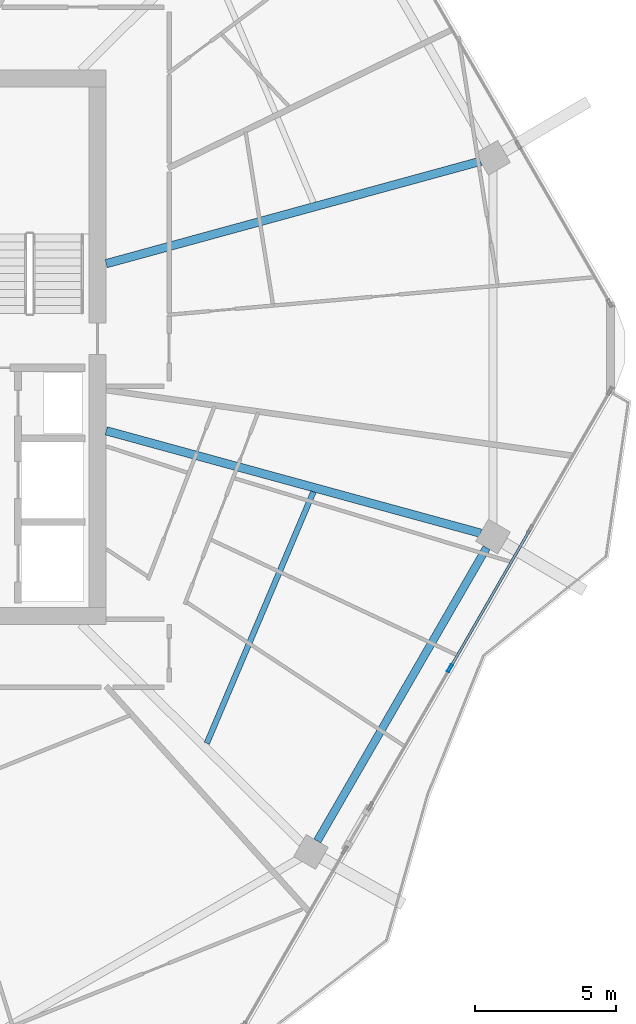
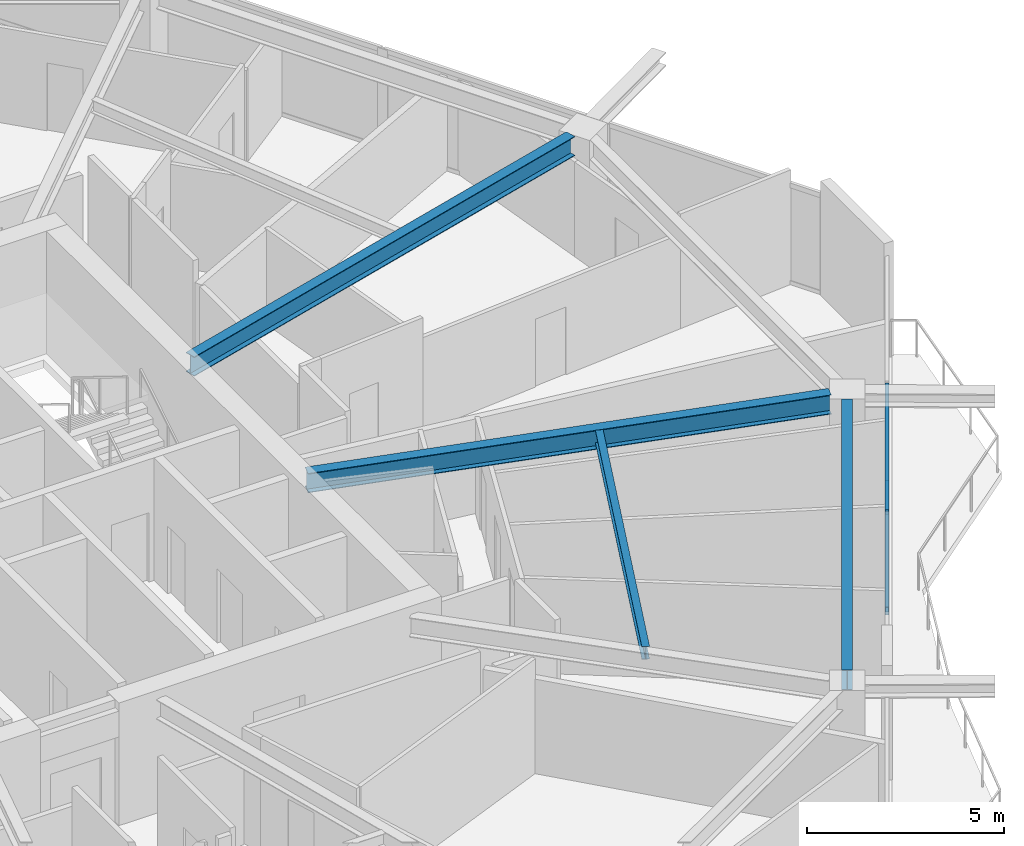
# One storey, part 9 of 25: 4 beams, 3 members, 1 element without a shape of its own.
"""IFC4 building model written with IfcOpenShell, lengths in metres."""

from ifc_helpers import new_model, si_unit, direction, frame, origin, origin_2d, place, context, subcontext, project, spatial, hollow_rectangle, i_section, extrude, material, material_profile, profile_set, type_object, element, aggregate, save


model = new_model("IFC4")

# Units and contexts
model_context = context("Model", 3, precision=1e-05, world=origin(), true_north=direction((0.0, 1.0)))
body_context = subcontext(model_context, "Body", "Model", "MODEL_VIEW")
ifc_project = project(units=[si_unit("LENGTHUNIT", "METRE"), si_unit("AREAUNIT", "SQUARE_METRE"), si_unit("VOLUMEUNIT", "CUBIC_METRE"), si_unit("PLANEANGLEUNIT", "RADIAN"), si_unit("MASSUNIT", "GRAM", prefix="KILO")], contexts=[model_context])

# Site, building, storey
site_placement = place(None, origin())
site = spatial("IfcSite", under=ifc_project, at=site_placement, CompositionType="ELEMENT")
building_placement = place(site_placement, origin())
building = spatial("IfcBuilding", under=site, at=building_placement, Name="Zuhravey Tower", CompositionType="ELEMENT")
storey_placement = place(building_placement, frame((0.0, 0.0, 235.0)))
storey = spatial("IfcBuildingStorey", under=building, at=storey_placement, Name="L59", CompositionType="ELEMENT", Elevation=235.0)

# Curtain wall, members
ifc_material_1 = material(Name="Thermally broken anodised aluminium", Category="aluminium")
curtain_wall_type = type_object("IfcCurtainWallType", Name="Zone 3-4 High-Rise Curtain Wall CW4", PredefinedType="NOTDEFINED", material=ifc_material_1)
curtain_wall_placement = place(storey_placement, origin())
curtain_wall = element("IfcCurtainWall", 1, at=curtain_wall_placement, inside=storey, type_object=curtain_wall_type, Name="L59 CW4 CW-L59-F6-1", PredefinedType="NOTDEFINED")
ifc_material_2 = material(Name="Anodised aluminium", Category="aluminium")
ifc_material_profile_1 = material_profile(ifc_material_2, hollow_rectangle(XDim=0.090087890625, YDim=0.284912109375, WallThickness=0.0048828125, at=origin_2d()), Name="ALU-RHS-90x285x5")
ifc_profile_set_1 = profile_set([ifc_material_profile_1], Name="Anodised aluminium")
member_type_1 = type_object("IfcMemberType", Name="Curtain-Wall Mullion 90x180", PredefinedType="MULLION", material=ifc_profile_set_1)
member_1_placement = place(storey_placement, frame((58.9599609375, 20.640625, 0.0), z_axis=(0.0, 0.0, 1.0), x_axis=(0.866023796192, -0.500002784421, 0.0)))
member_1 = element("IfcMember", 2, at=member_1_placement, type_object=member_type_1, Name="CW4 mullion 3", PredefinedType="MULLION", context=body_context, shape_type="SweptSolid", body=[
    extrude(hollow_rectangle(XDim=0.090087890625, YDim=0.284912109375, WallThickness=0.0048828125, at=origin_2d()), origin(), (0.0, 0.0, 1.0), 3.1220703125),
])
ifc_material_profile_2 = material_profile(ifc_material_2, hollow_rectangle(XDim=0.090087890625, YDim=0.14990234375, WallThickness=0.0048828125, at=origin_2d()), Name="ALU-RHS-90x150x5")
ifc_profile_set_2 = profile_set([ifc_material_profile_2], Name="Anodised aluminium")
member_type_2 = type_object("IfcMemberType", Name="Curtain-Wall Transom 90x150", PredefinedType="USERDEFINED", material=ifc_profile_set_2)
member_2_placement = place(storey_placement, frame((61.780029296875, 25.525146484375, 0.044921875), z_axis=(-0.500010773627, -0.866019183539, 0.0), x_axis=(0.866019183539, -0.500010773627, 0.0)))
member_2 = element("IfcMember", 3, at=member_2_placement, type_object=member_type_2, Name="CW4 transom 2.1", ObjectType="TRANSOM", PredefinedType="USERDEFINED", context=body_context, shape_type="SweptSolid", body=[
    extrude(hollow_rectangle(XDim=0.090087890625, YDim=0.14990234375, WallThickness=0.0048828125, at=origin_2d()), origin(), (0.0, 0.0, 1.0), 5.59521484375),
])
member_3_placement = place(storey_placement, frame((61.780029296875, 25.525146484375, 3.076904296875), z_axis=(-0.500010773627, -0.866019183539, 0.0), x_axis=(0.866019183539, -0.500010773627, 0.0)))
member_3 = element("IfcMember", 4, at=member_3_placement, type_object=member_type_2, Name="CW4 transom 2.2", ObjectType="TRANSOM", PredefinedType="USERDEFINED", context=body_context, shape_type="SweptSolid", body=[
    extrude(hollow_rectangle(XDim=0.090087890625, YDim=0.14990234375, WallThickness=0.0048828125, at=origin_2d()), origin(), (0.0, 0.0, 1.0), 5.59521484375),
])
aggregate(curtain_wall, [member_1, member_2, member_3])

# Beams
ifc_material_3 = material(Name="Steel SM355", Category="steel")
ifc_material_profile_3 = material_profile(ifc_material_3, i_section(OverallWidth=0.280029296875, OverallDepth=0.6201171875, WebThickness=0.011962890625, FlangeThickness=0.02001953125, at=origin_2d()), Name="H-620x280x12x20")
ifc_profile_set_3 = profile_set([ifc_material_profile_3], Name="Steel SM355")
beam_type_1 = type_object("IfcBeamType", Name="Perimeter Ring Beam H620x280", PredefinedType="BEAM", material=ifc_profile_set_3)
beam_1_placement = place(storey_placement, frame((54.27001953125, 14.53759765625, 3.239990234375), z_axis=(0.500017744717, 0.866015158625, 0.0), x_axis=(-0.866015158625, 0.500017744717, 0.0)))
element("IfcBeam", 5, at=beam_1_placement, inside=storey, type_object=beam_type_1, Name="L59 PB3 BM-L59-PB-11", PredefinedType="BEAM", context=body_context, shape_type="SweptSolid", body=[
    extrude(i_section(OverallWidth=0.280029296875, OverallDepth=0.6201171875, WebThickness=0.011962890625, FlangeThickness=0.02001953125, at=origin_2d()), origin(), (0.0, 0.0, 1.0), 11.9755859375),
])
ifc_material_profile_4 = material_profile(ifc_material_3, i_section(OverallWidth=0.300048828125, OverallDepth=0.60009765625, WebThickness=0.011962890625, FlangeThickness=0.02001953125, at=origin_2d()), Name="H-600x300x12x20")
ifc_profile_set_4 = profile_set([ifc_material_profile_4], Name="Steel SM355")
beam_type_2 = type_object("IfcBeamType", Name="Radial Primary Girder H600x300", PredefinedType="BEAM", material=ifc_profile_set_4)
for number, where, z_axis, x_axis, name in (
    (6, (46.802978515625, 34.95556640625, 3.25), (0.964548913045, 0.26390413855, 0.0), (-0.26390413855, 0.964548913045, 0.0), "L59 RG3 BM-L59-RAD-01"),
    (7, (46.802978515625, 29.04443359375, 3.25), (0.964548913045, -0.26390413855, 0.0), (0.26390413855, 0.964548913045, 0.0), "L59 RG3 BM-L59-RAD-12"),
):
    element("IfcBeam", number, at=place(storey_placement, frame(where, z_axis=z_axis, x_axis=x_axis)), inside=storey, type_object=beam_type_2, Name=name, PredefinedType="BEAM", context=body_context, shape_type="SweptSolid", body=[
        extrude(i_section(OverallWidth=0.300048828125, OverallDepth=0.60009765625, WebThickness=0.011962890625, FlangeThickness=0.02001953125, at=origin_2d()), origin(), (0.0, 0.0, 1.0), 13.7314453125),
    ])
ifc_material_profile_5 = material_profile(ifc_material_3, i_section(OverallWidth=0.199951171875, OverallDepth=0.39990234375, WebThickness=0.008056640625, FlangeThickness=0.012939453125, at=origin_2d()), Name="H-400x200x8x13")
ifc_profile_set_5 = profile_set([ifc_material_profile_5], Name="Steel SM355")
beam_type_3 = type_object("IfcBeamType", Name="Secondary Floor Joist H400x200", PredefinedType="JOIST", material=ifc_profile_set_5)
beam_2_placement = place(storey_placement, frame((50.36083984375, 17.990966796875, 3.35009765625), z_axis=(0.390413493754, 0.920639616731, 0.0), x_axis=(-0.920639616731, 0.390413493754, 0.0)))
element("IfcBeam", 8, at=beam_2_placement, inside=storey, type_object=beam_type_3, Name="L59 SJ2 BM-L59-SJ-11-1", PredefinedType="JOIST", context=body_context, shape_type="SweptSolid", body=[
    extrude(i_section(OverallWidth=0.199951171875, OverallDepth=0.39990234375, WebThickness=0.008056640625, FlangeThickness=0.012939453125, at=origin_2d()), origin(), (0.0, 0.0, 1.0), 9.656494140625),
])

save(model, "model.ifc")
